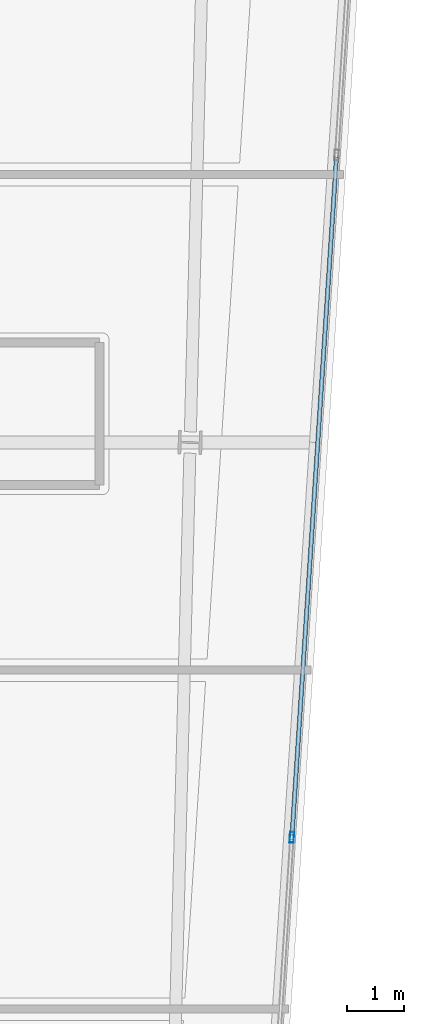
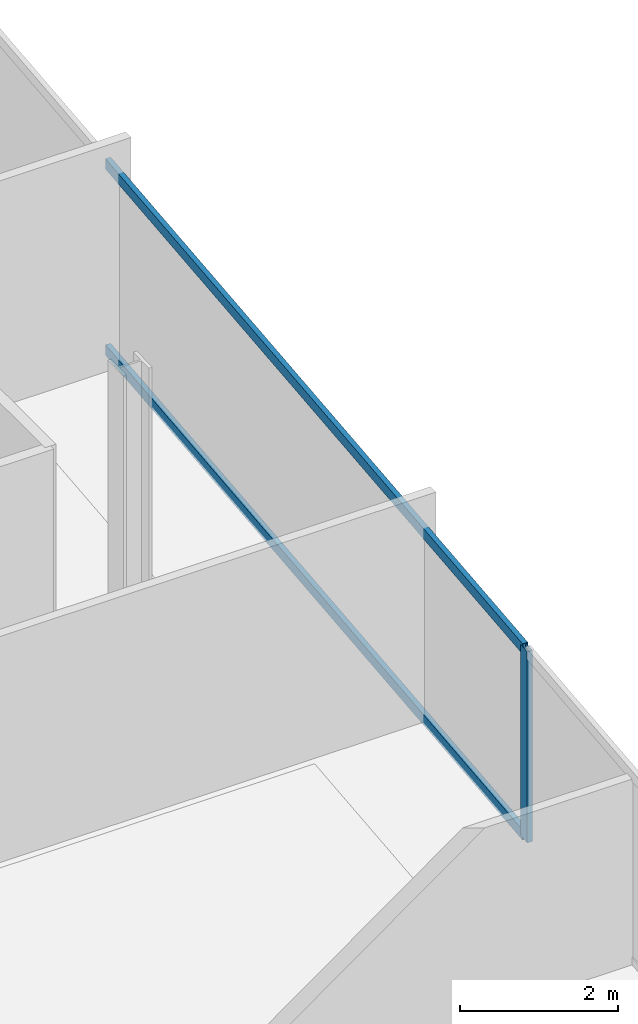
# One storey, part 10 of 24: 3 members, 1 element without a shape of its own.
"""IFC4 building model written with IfcOpenShell, lengths in metres."""

from ifc_helpers import new_model, si_unit, direction, frame, origin, origin_2d, place, context, subcontext, project, spatial, hollow_rectangle, extrude, material, material_profile, profile_set, type_object, element, aggregate, save


model = new_model("IFC4")

# Units and contexts
model_context = context("Model", 3, precision=1e-05, world=origin(), true_north=direction((0.0, 1.0)))
body_context = subcontext(model_context, "Body", "Model", "MODEL_VIEW")
ifc_project = project(units=[si_unit("LENGTHUNIT", "METRE"), si_unit("AREAUNIT", "SQUARE_METRE"), si_unit("VOLUMEUNIT", "CUBIC_METRE"), si_unit("PLANEANGLEUNIT", "RADIAN"), si_unit("MASSUNIT", "GRAM", prefix="KILO")], contexts=[model_context])

# Site, building, storey
site_placement = place(None, origin())
site = spatial("IfcSite", under=ifc_project, at=site_placement, CompositionType="ELEMENT")
building_placement = place(site_placement, origin())
building = spatial("IfcBuilding", under=site, at=building_placement, Name="Haldenkirk Collegiate Tower", CompositionType="ELEMENT")
storey_placement = place(building_placement, frame((0.0, 0.0, 317.699951171875)))
storey = spatial("IfcBuildingStorey", under=building, at=storey_placement, Name="L80", CompositionType="ELEMENT", Elevation=317.699951171875)

# Curtain wall, members
ifc_material = material(Name="Anodised architectural bronze aluminium", Category="aluminium")
curtain_wall_type = type_object("IfcCurtainWallType", Name="CW-SYS2-CONCAVE", PredefinedType="USERDEFINED", material=ifc_material)
curtain_wall_placement = place(storey_placement, origin())
curtain_wall = element("IfcCurtainWall", 1, at=curtain_wall_placement, inside=storey, type_object=curtain_wall_type, Name="L80 South concave recessed bronze-anodised curtain wall", ObjectType="UNITISED CURTAIN WALL", PredefinedType="USERDEFINED")
ifc_material_profile_1 = material_profile(ifc_material, hollow_rectangle(XDim=0.074951171875, YDim=0.18994140625, WallThickness=0.0048828125, at=origin_2d()), Name="CW-MUL-02")
ifc_profile_set_1 = profile_set([ifc_material_profile_1], Name="Anodised architectural bronze aluminium")
member_type_1 = type_object("IfcMemberType", Name="CW-MUL-02", PredefinedType="MULLION", material=ifc_profile_set_1)
member_1_placement = place(storey_placement, frame((57.68017578125, 18.566162109375, 0.0), z_axis=(0.0, 0.0, 1.0), x_axis=(0.99785893177, -0.065402999064, 0.0)))
member_1 = element("IfcMember", 2, at=member_1_placement, type_object=member_type_1, Name="CW-02 mullion 3", PredefinedType="MULLION", context=body_context, shape_type="SweptSolid", body=[
    extrude(hollow_rectangle(XDim=0.074951171875, YDim=0.18994140625, WallThickness=0.0048828125, at=origin_2d()), origin(), (0.0, 0.0, 1.0), 2.947998046875),
])
ifc_material_profile_2 = material_profile(ifc_material, hollow_rectangle(XDim=0.074951171875, YDim=0.159912109375, WallThickness=0.0048828125, at=origin_2d()), Name="CW-TRN-02")
ifc_profile_set_2 = profile_set([ifc_material_profile_2], Name="Anodised architectural bronze aluminium")
member_type_2 = type_object("IfcMemberType", Name="CW-TRN-02", PredefinedType="USERDEFINED", material=ifc_profile_set_2)
member_2_placement = place(storey_placement, frame((58.462646484375, 30.5029296875, 0.03759765625), z_axis=(-0.065411520362, -0.997858373219, 0.0), x_axis=(0.997858373219, -0.065411520362, 0.0)))
member_2 = element("IfcMember", 3, at=member_2_placement, type_object=member_type_2, Name="CW-02 transom 2.1", ObjectType="TRANSOM", PredefinedType="USERDEFINED", context=body_context, shape_type="SweptSolid", body=[
    extrude(hollow_rectangle(XDim=0.074951171875, YDim=0.159912109375, WallThickness=0.0048828125, at=origin_2d()), origin(), (0.0, 0.0, 1.0), 11.925048828125),
])
member_3_placement = place(storey_placement, frame((58.462646484375, 30.5029296875, 2.91064453125), z_axis=(-0.065411520362, -0.997858373219, 0.0), x_axis=(0.997858373219, -0.065411520362, 0.0)))
member_3 = element("IfcMember", 4, at=member_3_placement, type_object=member_type_2, Name="CW-02 transom 2.2", ObjectType="TRANSOM", PredefinedType="USERDEFINED", context=body_context, shape_type="SweptSolid", body=[
    extrude(hollow_rectangle(XDim=0.074951171875, YDim=0.159912109375, WallThickness=0.0048828125, at=origin_2d()), origin(), (0.0, 0.0, 1.0), 11.925048828125),
])
aggregate(curtain_wall, [member_1, member_2, member_3])

save(model, "model.ifc")
